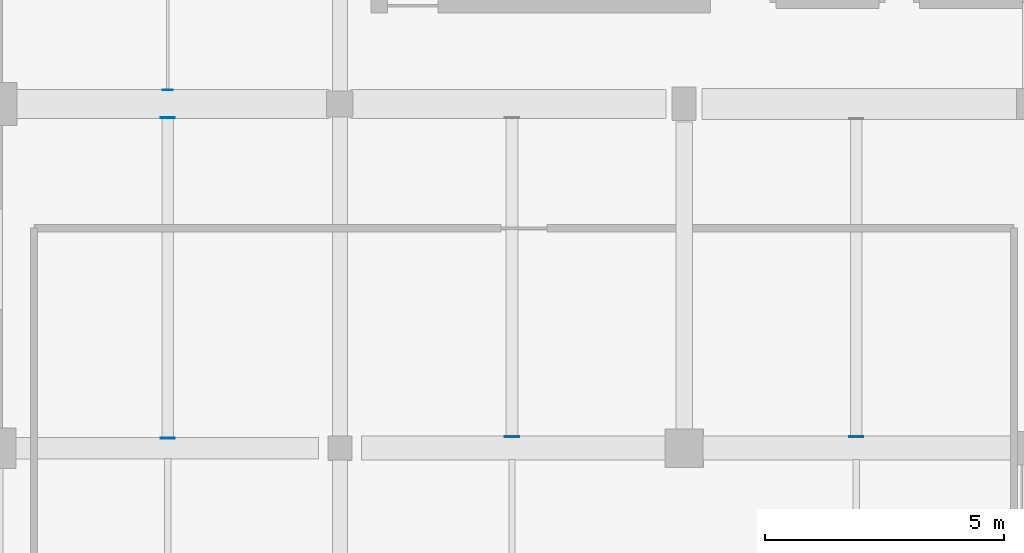
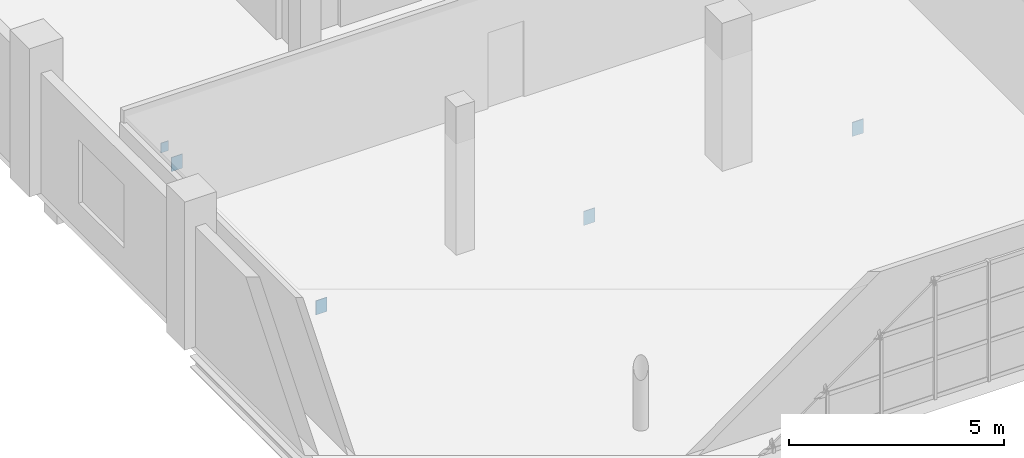
# One storey, part 56 of 90: 5 plates.
"""IFC4 building model written with IfcOpenShell, lengths in metres."""

from ifc_helpers import new_model, si_unit, direction, frame, origin, origin_2d, place, context, subcontext, project, spatial, rectangle, extrude, material, layer, layer_set, type_object, element, save


model = new_model("IFC4")

# Units and contexts
model_context = context("Model", 3, precision=1e-05, world=origin(), true_north=direction((0.0, 1.0)))
body_context = subcontext(model_context, "Body", "Model", "MODEL_VIEW")
ifc_project = project(units=[si_unit("LENGTHUNIT", "METRE"), si_unit("AREAUNIT", "SQUARE_METRE"), si_unit("VOLUMEUNIT", "CUBIC_METRE"), si_unit("PLANEANGLEUNIT", "RADIAN"), si_unit("MASSUNIT", "GRAM", prefix="KILO")], contexts=[model_context])

# Site, building, storey
site_placement = place(None, origin())
site = spatial("IfcSite", under=ifc_project, at=site_placement, CompositionType="ELEMENT")
building_placement = place(site_placement, origin())
building = spatial("IfcBuilding", under=site, at=building_placement, Name="Solanera Park Tramway Depot", CompositionType="ELEMENT")
storey_placement = place(building_placement, frame((0.0, 0.0, 9.0)))
storey = spatial("IfcBuildingStorey", under=building, at=storey_placement, Name="L02", CompositionType="ELEMENT", Elevation=9.0)

# Plates
ifc_material_1 = material(Name="Steel AS/NZS 3679.1 Grade 350", Category="steel")
ifc_layer_1 = layer(ifc_material_1, 0.013916015625)
ifc_layer_set_1 = layer_set([ifc_layer_1], Name="Steel AS/NZS 3679.1 Grade 350")
plate_type_1 = type_object("IfcPlateType", Name="Hollow End Cap and Base Plate 280x200x14", PredefinedType="USERDEFINED", material=ifc_layer_set_1)
plate_placement = place(storey_placement, frame((111.60009765625, 18.2890625, -0.5791015625), z_axis=(0.0, 0.0, 1.0), x_axis=(0.0, 1.0, 0.0)))
element("IfcPlate", 1, at=plate_placement, inside=storey, type_object=plate_type_1, Name="Hollow Section Welded End Cap Plate #0048", ObjectType="BASE PLATE", PredefinedType="USERDEFINED", context=body_context, shape_type="SweptSolid", body=[
    extrude(rectangle(XDim=0.013916015625, YDim=0.199951171875, at=origin_2d()), origin(), (0.0, 0.0, 1.0), 0.280029296875),
])
ifc_material_2 = material(Name="Steel AS/NZS 3679.1 Grade 350", Category="steel")
ifc_layer_2 = layer(ifc_material_2, 0.02001953125)
ifc_layer_set_2 = layer_set([ifc_layer_2], Name="Steel AS/NZS 3679.1 Grade 350")
plate_type_2 = type_object("IfcPlateType", Name="Hollow End Cap and Base Plate 400x300x20", PredefinedType="USERDEFINED", material=ifc_layer_set_2)
for number, where, z_axis, x_axis, name in (
    (2, (111.60009765625, 11.010986328125, -0.739013671875), (0.0, 0.0, 1.0), (0.0, 1.0, 0.0), "Hollow Section Welded End Cap Plate #0026"),
    (3, (111.60009765625, 17.714111328125, -0.739013671875), (0.0, 0.0, 1.0), (0.0, 1.0, 0.0), "Hollow Section Welded End Cap Plate #0027"),
    (4, (118.800048828125, 11.035888671875, -0.739013671875), (0.0, 0.0, 1.0), (0.0, 1.0, 0.0), "Hollow Section Welded End Cap Plate #0028"),
    (5, (126.0, 11.035888671875, -0.739013671875), (0.0, 0.0, 1.0), (0.0, 1.0, 0.0), "Hollow Section Welded End Cap Plate #0030"),
):
    element("IfcPlate", number, at=place(storey_placement, frame(where, z_axis=z_axis, x_axis=x_axis)), inside=storey, type_object=plate_type_2, Name=name, ObjectType="BASE PLATE", PredefinedType="USERDEFINED", context=body_context, shape_type="SweptSolid", body=[
        extrude(rectangle(XDim=0.02001953125, YDim=0.300048828125, at=origin_2d()), origin(), (0.0, 0.0, 1.0), 0.39990234375),
    ])

save(model, "model.ifc")
